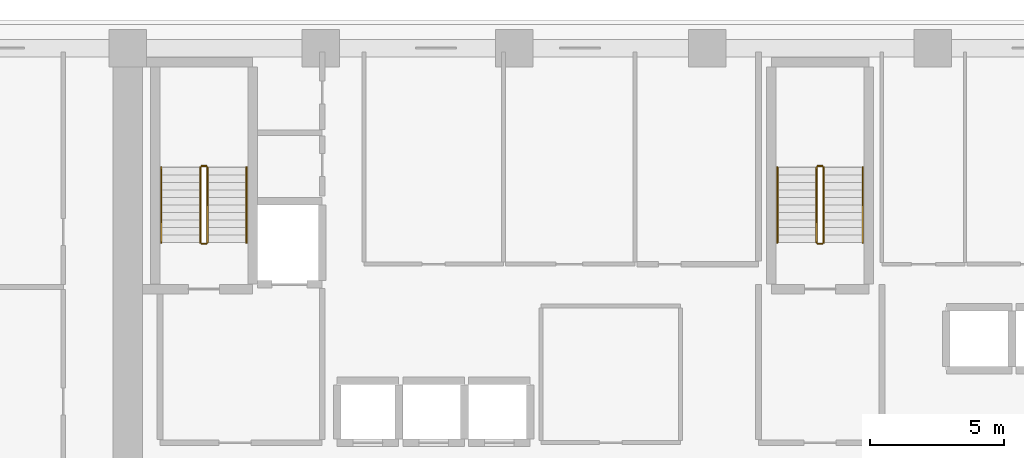
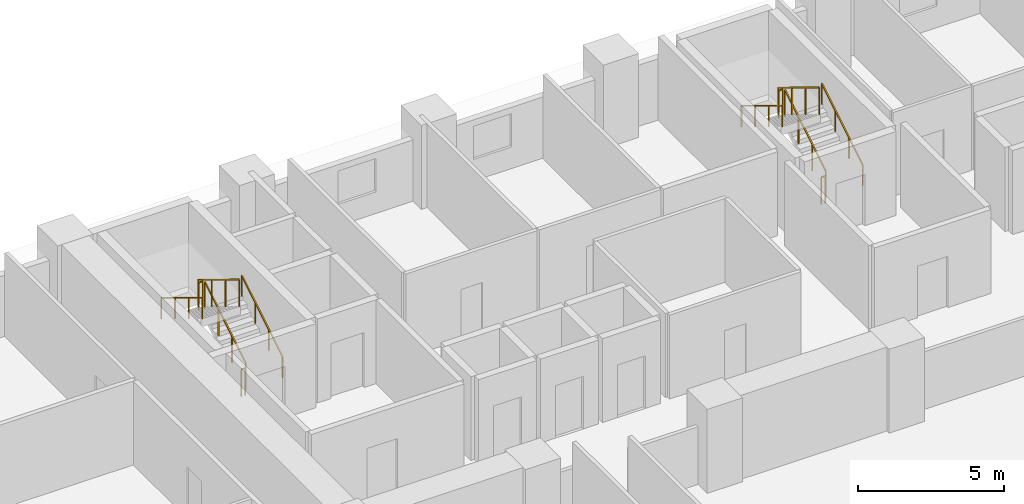
# One storey, part 13 of 15: 12 railings.
"""IFC4 building model written with IfcOpenShell, lengths in metres."""

from ifc_helpers import new_model, si_unit, direction, frame, origin, origin_2d, place, context, subcontext, project, spatial, rectangle, extrude, material, type_object, element, save


model = new_model("IFC4")

# Units and contexts
model_context = context("Model", 3, precision=1e-05, world=origin(), true_north=direction((0.0, 1.0)))
body_context = subcontext(model_context, "Body", "Model", "MODEL_VIEW")
ifc_project = project(units=[si_unit("LENGTHUNIT", "METRE"), si_unit("AREAUNIT", "SQUARE_METRE"), si_unit("VOLUMEUNIT", "CUBIC_METRE"), si_unit("PLANEANGLEUNIT", "RADIAN"), si_unit("MASSUNIT", "GRAM", prefix="KILO")], contexts=[model_context])

# Site, building, storey
site_placement = place(None, origin())
site = spatial("IfcSite", under=ifc_project, at=site_placement, CompositionType="ELEMENT")
building_placement = place(site_placement, origin())
building = spatial("IfcBuilding", under=site, at=building_placement, Name="Kaelvorn Grand Hotel", CompositionType="ELEMENT")
storey_placement = place(building_placement, frame((0.0, 0.0, 61.39990234375)))
storey = spatial("IfcBuildingStorey", under=building, at=storey_placement, Name="L13", CompositionType="ELEMENT", Elevation=61.39990234375)

# Railings
ifc_material = material(Name="Stainless Steel", Category="steel")
railing_type_1 = type_object("IfcRailingType", Name="RL-HANDRAIL-900", PredefinedType="HANDRAIL", material=ifc_material)
railing_1_placement = place(storey_placement, frame((20.6298828125, 41.760009765625, 0.170654296875)))
element("IfcRailing", 1, at=railing_1_placement, inside=storey, type_object=railing_type_1, Name="L13 ST1 stair handrail 1", PredefinedType="HANDRAIL", context=body_context, shape_type="SweptSolid", body=[
    extrude(rectangle(XDim=0.048095703125, YDim=0.048095703125, at=origin_2d()), frame((0.0, 0.0, 0.8759765625), z_axis=(0.0, 0.854202870247, 0.519939858505), x_axis=(-1.0, 0.0, 0.0)), (0.0, 0.0, 1.0), 3.278076171875),
    extrude(rectangle(XDim=0.0419921875, YDim=0.0419921875, at=origin_2d()), origin(), (0.0, 0.0, 1.0), 0.851806640625),
    extrude(rectangle(XDim=0.0419921875, YDim=0.0419921875, at=origin_2d()), frame((0.0, 0.933349609375, 0.568115234375)), (0.0, 0.0, 1.0), 0.851806640625),
    extrude(rectangle(XDim=0.0419921875, YDim=0.0419921875, at=origin_2d()), frame((0.0, 1.86669921875, 1.13623046875)), (0.0, 0.0, 1.0), 0.851806640625),
    extrude(rectangle(XDim=0.0419921875, YDim=0.0419921875, at=origin_2d()), frame((0.0, 2.800048828125, 1.704345703125)), (0.0, 0.0, 1.0), 0.851806640625),
])
railing_2_placement = place(storey_placement, frame((17.449951171875, 44.56005859375, 2.045654296875)))
element("IfcRailing", 2, at=railing_2_placement, inside=storey, type_object=railing_type_1, Name="L13 ST1 stair handrail 2", PredefinedType="HANDRAIL", context=body_context, shape_type="SweptSolid", body=[
    extrude(rectangle(XDim=0.048095703125, YDim=0.048095703125, at=origin_2d()), frame((0.0, 0.0, 0.8759765625), z_axis=(0.0, -0.854202870247, 0.519939858505), x_axis=(1.0, 0.0, 0.0)), (0.0, 0.0, 1.0), 3.278076171875),
    extrude(rectangle(XDim=0.0419921875, YDim=0.0419921875, at=origin_2d()), origin(), (0.0, 0.0, 1.0), 0.851806640625),
    extrude(rectangle(XDim=0.0419921875, YDim=0.0419921875, at=origin_2d()), frame((0.0, -0.933349609375, 0.568115234375)), (0.0, 0.0, 1.0), 0.851806640625),
    extrude(rectangle(XDim=0.0419921875, YDim=0.0419921875, at=origin_2d()), frame((0.0, -1.86669921875, 1.13623046875)), (0.0, 0.0, 1.0), 0.851806640625),
    extrude(rectangle(XDim=0.0419921875, YDim=0.0419921875, at=origin_2d()), frame((0.0, -2.800048828125, 1.704345703125)), (0.0, 0.0, 1.0), 0.851806640625),
])
railing_3_placement = place(storey_placement, frame((43.590087890625, 41.760009765625, 0.170654296875)))
element("IfcRailing", 3, at=railing_3_placement, inside=storey, type_object=railing_type_1, Name="L13 ST2 stair handrail 1", PredefinedType="HANDRAIL", context=body_context, shape_type="SweptSolid", body=[
    extrude(rectangle(XDim=0.048095703125, YDim=0.048095703125, at=origin_2d()), frame((0.0, 0.0, 0.8759765625), z_axis=(0.0, 0.854202870247, 0.519939858505), x_axis=(-1.0, 0.0, 0.0)), (0.0, 0.0, 1.0), 3.278076171875),
    extrude(rectangle(XDim=0.0419921875, YDim=0.0419921875, at=origin_2d()), origin(), (0.0, 0.0, 1.0), 0.851806640625),
    extrude(rectangle(XDim=0.0419921875, YDim=0.0419921875, at=origin_2d()), frame((0.0, 0.933349609375, 0.568115234375)), (0.0, 0.0, 1.0), 0.851806640625),
    extrude(rectangle(XDim=0.0419921875, YDim=0.0419921875, at=origin_2d()), frame((0.0, 1.86669921875, 1.13623046875)), (0.0, 0.0, 1.0), 0.851806640625),
    extrude(rectangle(XDim=0.0419921875, YDim=0.0419921875, at=origin_2d()), frame((0.0, 2.800048828125, 1.704345703125)), (0.0, 0.0, 1.0), 0.851806640625),
])
railing_4_placement = place(storey_placement, frame((40.409912109375, 44.56005859375, 2.045654296875)))
element("IfcRailing", 4, at=railing_4_placement, inside=storey, type_object=railing_type_1, Name="L13 ST2 stair handrail 2", PredefinedType="HANDRAIL", context=body_context, shape_type="SweptSolid", body=[
    extrude(rectangle(XDim=0.048095703125, YDim=0.048095703125, at=origin_2d()), frame((0.0, 0.0, 0.8759765625), z_axis=(0.0, -0.854202870247, 0.519939858505), x_axis=(1.0, 0.0, 0.0)), (0.0, 0.0, 1.0), 3.278076171875),
    extrude(rectangle(XDim=0.0419921875, YDim=0.0419921875, at=origin_2d()), origin(), (0.0, 0.0, 1.0), 0.851806640625),
    extrude(rectangle(XDim=0.0419921875, YDim=0.0419921875, at=origin_2d()), frame((0.0, -0.933349609375, 0.568115234375)), (0.0, 0.0, 1.0), 0.851806640625),
    extrude(rectangle(XDim=0.0419921875, YDim=0.0419921875, at=origin_2d()), frame((0.0, -1.86669921875, 1.13623046875)), (0.0, 0.0, 1.0), 0.851806640625),
    extrude(rectangle(XDim=0.0419921875, YDim=0.0419921875, at=origin_2d()), frame((0.0, -2.800048828125, 1.704345703125)), (0.0, 0.0, 1.0), 0.851806640625),
])
railing_type_2 = type_object("IfcRailingType", Name="RL-STAIR-GUARD-1150", PredefinedType="BALUSTRADE", material=ifc_material)
railing_5_placement = place(storey_placement, frame((19.169921875, 41.760009765625, 0.170654296875)))
element("IfcRailing", 5, at=railing_5_placement, inside=storey, type_object=railing_type_2, Name="L13 ST1 stair guard 1", PredefinedType="BALUSTRADE", context=body_context, shape_type="SweptSolid", body=[
    extrude(rectangle(XDim=0.048095703125, YDim=0.048095703125, at=origin_2d()), frame((0.0, 0.0, 1.1259765625), z_axis=(0.0, 0.854202870247, 0.519939858505), x_axis=(-1.0, 0.0, 0.0)), (0.0, 0.0, 1.0), 3.278076171875),
    extrude(rectangle(XDim=0.0419921875, YDim=0.0419921875, at=origin_2d()), origin(), (0.0, 0.0, 1.0), 1.101806640625),
    extrude(rectangle(XDim=0.0419921875, YDim=0.0419921875, at=origin_2d()), frame((0.0, 0.933349609375, 0.568115234375)), (0.0, 0.0, 1.0), 1.101806640625),
    extrude(rectangle(XDim=0.0419921875, YDim=0.0419921875, at=origin_2d()), frame((0.0, 1.86669921875, 1.13623046875)), (0.0, 0.0, 1.0), 1.101806640625),
    extrude(rectangle(XDim=0.0419921875, YDim=0.0419921875, at=origin_2d()), frame((0.0, 2.800048828125, 1.704345703125)), (0.0, 0.0, 1.0), 1.101806640625),
])
railing_6_placement = place(storey_placement, frame((19.1201171875, 44.610107421875, 1.875)))
element("IfcRailing", 6, at=railing_6_placement, inside=storey, type_object=railing_type_2, Name="L13 ST1 stair guard 2", PredefinedType="BALUSTRADE", context=body_context, shape_type="SweptSolid", body=[
    extrude(rectangle(XDim=0.048095703125, YDim=0.048095703125, at=origin_2d()), frame((0.0, 0.0, 1.1259765625), z_axis=(-1.0, 0.0, 0.0), x_axis=(0.0, -1.0, 0.0)), (0.0, 0.0, 1.0), 0.16015625),
    extrude(rectangle(XDim=0.0419921875, YDim=0.0419921875, at=origin_2d()), origin(), (0.0, 0.0, 1.0), 1.101806640625),
    extrude(rectangle(XDim=0.0419921875, YDim=0.0419921875, at=origin_2d()), frame((-0.16015625, 0.0, 0.0)), (0.0, 0.0, 1.0), 1.101806640625),
])
railing_7_placement = place(storey_placement, frame((18.909912109375, 44.56005859375, 2.045654296875)))
element("IfcRailing", 7, at=railing_7_placement, inside=storey, type_object=railing_type_2, Name="L13 ST1 stair guard 3", PredefinedType="BALUSTRADE", context=body_context, shape_type="SweptSolid", body=[
    extrude(rectangle(XDim=0.048095703125, YDim=0.048095703125, at=origin_2d()), frame((0.0, 0.0, 1.1259765625), z_axis=(0.0, -0.854202870247, 0.519939858505), x_axis=(1.0, 0.0, 0.0)), (0.0, 0.0, 1.0), 3.278076171875),
    extrude(rectangle(XDim=0.0419921875, YDim=0.0419921875, at=origin_2d()), origin(), (0.0, 0.0, 1.0), 1.101806640625),
    extrude(rectangle(XDim=0.0419921875, YDim=0.0419921875, at=origin_2d()), frame((0.0, -0.933349609375, 0.568115234375)), (0.0, 0.0, 1.0), 1.101806640625),
    extrude(rectangle(XDim=0.0419921875, YDim=0.0419921875, at=origin_2d()), frame((0.0, -1.86669921875, 1.13623046875)), (0.0, 0.0, 1.0), 1.101806640625),
    extrude(rectangle(XDim=0.0419921875, YDim=0.0419921875, at=origin_2d()), frame((0.0, -2.800048828125, 1.704345703125)), (0.0, 0.0, 1.0), 1.101806640625),
])
railing_8_placement = place(storey_placement, frame((19.1201171875, 41.7099609375, 0.0)))
element("IfcRailing", 8, at=railing_8_placement, inside=storey, type_object=railing_type_2, Name="L13 ST1 stair guard 4", PredefinedType="BALUSTRADE", context=body_context, shape_type="SweptSolid", body=[
    extrude(rectangle(XDim=0.048095703125, YDim=0.048095703125, at=origin_2d()), frame((0.0, 0.0, 1.1259765625), z_axis=(-1.0, 0.0, 0.0), x_axis=(0.0, -1.0, 0.0)), (0.0, 0.0, 1.0), 0.16015625),
    extrude(rectangle(XDim=0.0419921875, YDim=0.0419921875, at=origin_2d()), origin(), (0.0, 0.0, 1.0), 1.101806640625),
    extrude(rectangle(XDim=0.0419921875, YDim=0.0419921875, at=origin_2d()), frame((-0.16015625, 0.0, 0.0)), (0.0, 0.0, 1.0), 1.101806640625),
])
railing_9_placement = place(storey_placement, frame((42.1298828125, 41.760009765625, 0.170654296875)))
element("IfcRailing", 9, at=railing_9_placement, inside=storey, type_object=railing_type_2, Name="L13 ST2 stair guard 1", PredefinedType="BALUSTRADE", context=body_context, shape_type="SweptSolid", body=[
    extrude(rectangle(XDim=0.048095703125, YDim=0.048095703125, at=origin_2d()), frame((0.0, 0.0, 1.1259765625), z_axis=(0.0, 0.854202870247, 0.519939858505), x_axis=(-1.0, 0.0, 0.0)), (0.0, 0.0, 1.0), 3.278076171875),
    extrude(rectangle(XDim=0.0419921875, YDim=0.0419921875, at=origin_2d()), origin(), (0.0, 0.0, 1.0), 1.101806640625),
    extrude(rectangle(XDim=0.0419921875, YDim=0.0419921875, at=origin_2d()), frame((0.0, 0.933349609375, 0.568115234375)), (0.0, 0.0, 1.0), 1.101806640625),
    extrude(rectangle(XDim=0.0419921875, YDim=0.0419921875, at=origin_2d()), frame((0.0, 1.86669921875, 1.13623046875)), (0.0, 0.0, 1.0), 1.101806640625),
    extrude(rectangle(XDim=0.0419921875, YDim=0.0419921875, at=origin_2d()), frame((0.0, 2.800048828125, 1.704345703125)), (0.0, 0.0, 1.0), 1.101806640625),
])
railing_10_placement = place(storey_placement, frame((42.080078125, 44.610107421875, 1.875)))
element("IfcRailing", 10, at=railing_10_placement, inside=storey, type_object=railing_type_2, Name="L13 ST2 stair guard 2", PredefinedType="BALUSTRADE", context=body_context, shape_type="SweptSolid", body=[
    extrude(rectangle(XDim=0.048095703125, YDim=0.048095703125, at=origin_2d()), frame((0.0, 0.0, 1.1259765625), z_axis=(-1.0, 0.0, 0.0), x_axis=(0.0, -1.0, 0.0)), (0.0, 0.0, 1.0), 0.16015625),
    extrude(rectangle(XDim=0.0419921875, YDim=0.0419921875, at=origin_2d()), origin(), (0.0, 0.0, 1.0), 1.101806640625),
    extrude(rectangle(XDim=0.0419921875, YDim=0.0419921875, at=origin_2d()), frame((-0.16015625, 0.0, 0.0)), (0.0, 0.0, 1.0), 1.101806640625),
])
railing_11_placement = place(storey_placement, frame((41.8701171875, 44.56005859375, 2.045654296875)))
element("IfcRailing", 11, at=railing_11_placement, inside=storey, type_object=railing_type_2, Name="L13 ST2 stair guard 3", PredefinedType="BALUSTRADE", context=body_context, shape_type="SweptSolid", body=[
    extrude(rectangle(XDim=0.048095703125, YDim=0.048095703125, at=origin_2d()), frame((0.0, 0.0, 1.1259765625), z_axis=(0.0, -0.854202870247, 0.519939858505), x_axis=(1.0, 0.0, 0.0)), (0.0, 0.0, 1.0), 3.278076171875),
    extrude(rectangle(XDim=0.0419921875, YDim=0.0419921875, at=origin_2d()), origin(), (0.0, 0.0, 1.0), 1.101806640625),
    extrude(rectangle(XDim=0.0419921875, YDim=0.0419921875, at=origin_2d()), frame((0.0, -0.933349609375, 0.568115234375)), (0.0, 0.0, 1.0), 1.101806640625),
    extrude(rectangle(XDim=0.0419921875, YDim=0.0419921875, at=origin_2d()), frame((0.0, -1.86669921875, 1.13623046875)), (0.0, 0.0, 1.0), 1.101806640625),
    extrude(rectangle(XDim=0.0419921875, YDim=0.0419921875, at=origin_2d()), frame((0.0, -2.800048828125, 1.704345703125)), (0.0, 0.0, 1.0), 1.101806640625),
])
railing_12_placement = place(storey_placement, frame((42.080078125, 41.7099609375, 0.0)))
element("IfcRailing", 12, at=railing_12_placement, inside=storey, type_object=railing_type_2, Name="L13 ST2 stair guard 4", PredefinedType="BALUSTRADE", context=body_context, shape_type="SweptSolid", body=[
    extrude(rectangle(XDim=0.048095703125, YDim=0.048095703125, at=origin_2d()), frame((0.0, 0.0, 1.1259765625), z_axis=(-1.0, 0.0, 0.0), x_axis=(0.0, -1.0, 0.0)), (0.0, 0.0, 1.0), 0.16015625),
    extrude(rectangle(XDim=0.0419921875, YDim=0.0419921875, at=origin_2d()), origin(), (0.0, 0.0, 1.0), 1.101806640625),
    extrude(rectangle(XDim=0.0419921875, YDim=0.0419921875, at=origin_2d()), frame((-0.16015625, 0.0, 0.0)), (0.0, 0.0, 1.0), 1.101806640625),
])

save(model, "model.ifc")
